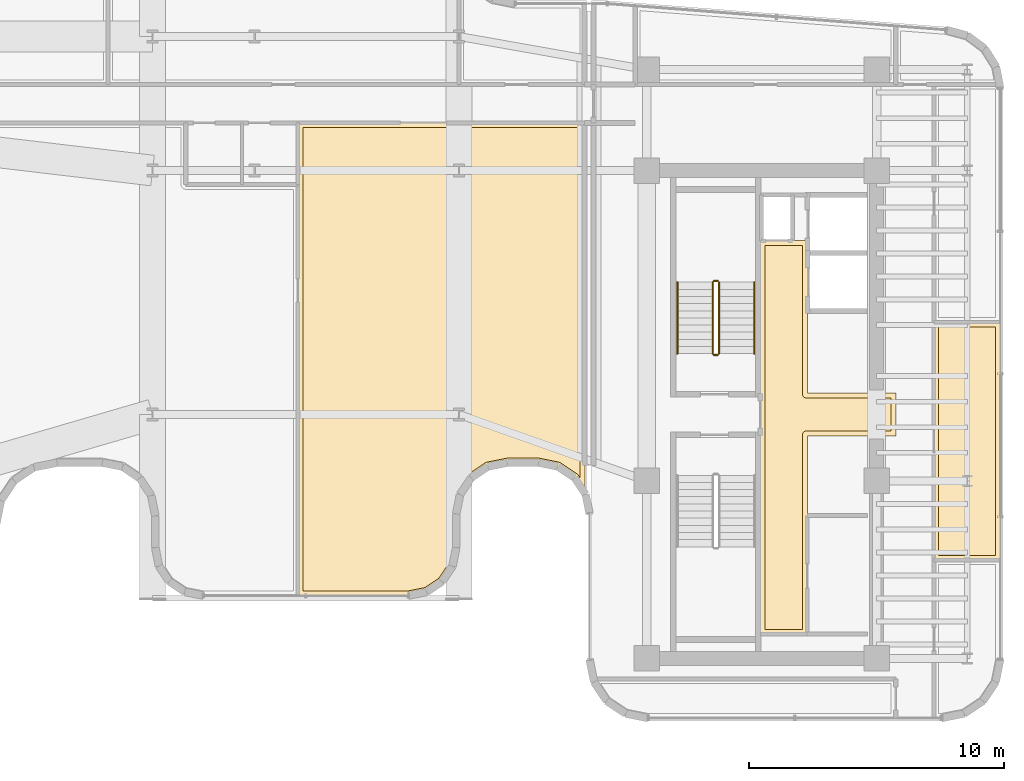
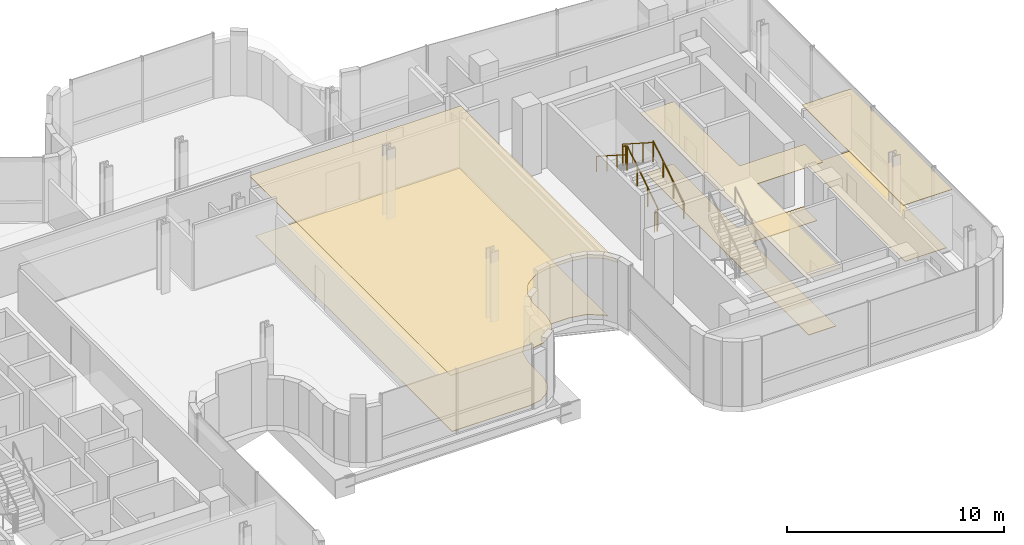
# One storey, part 35 of 37: 6 coverings, 6 railings.
"""IFC4 building model written with IfcOpenShell, lengths in metres."""

from ifc_helpers import new_model, si_unit, direction, frame, origin, origin_2d, place, context, subcontext, project, spatial, polyline, circle, outline, extrude, material, layer, layer_set, type_object, element, save


model = new_model("IFC4")

# Units and contexts
model_context = context("Model", 3, precision=1e-05, world=origin(), true_north=direction((0.0, 1.0)))
body_context = subcontext(model_context, "Body", "Model", "MODEL_VIEW")
ifc_project = project(units=[si_unit("LENGTHUNIT", "METRE"), si_unit("AREAUNIT", "SQUARE_METRE"), si_unit("VOLUMEUNIT", "CUBIC_METRE"), si_unit("PLANEANGLEUNIT", "RADIAN"), si_unit("MASSUNIT", "GRAM", prefix="KILO")], contexts=[model_context])

# Site, building, storey
site_placement = place(None, origin())
site = spatial("IfcSite", under=ifc_project, at=site_placement, CompositionType="ELEMENT")
building_placement = place(site_placement, origin())
building = spatial("IfcBuilding", under=site, at=building_placement, Name="Valdorenza Pilgrim Sanctuary Tower", CompositionType="ELEMENT")
storey_placement = place(building_placement, frame((0.0, 0.0, 188.39990234375)))
storey = spatial("IfcBuildingStorey", under=building, at=storey_placement, Name="L48", CompositionType="ELEMENT", Elevation=188.39990234375)

# Coverings
ifc_material_1 = material(Name="Micro-perforated acoustic mineral ceiling tile", Category="gypsum")
ifc_layer_1 = layer(ifc_material_1, 0.02490234375, Name="Micro-perforated acoustic mineral ceiling tile")
ifc_layer_set_1 = layer_set([ifc_layer_1], Name="Micro-perforated acoustic mineral ceiling tile")
covering_type_1 = type_object("IfcCoveringType", Name="COV-CLG-ACU", PredefinedType="CEILING", material=ifc_layer_set_1)
covering_1_placement = place(storey_placement, frame((0.0, 0.0, 3.330078125)))
element("IfcCovering", 1, at=covering_1_placement, inside=storey, type_object=covering_type_1, Name="L48 Core B Passenger Lift Lobby Acoustic Ceiling", PredefinedType="CEILING", context=body_context, shape_type="SweptSolid", body=[
    extrude(outline(polyline([(20.287109375, -0.814697265625), (20.287109375, 0.814697265625), (20.28662109375, 0.815185546875), (20.2861328125, 0.81640625), (20.28564453125, 0.81787109375), (20.285400390625, 0.819091796875), (20.28515625, 0.820556640625), (20.284912109375, 0.822021484375), (20.284912109375, 6.800048828125), (20.28515625, 6.801513671875), (20.285400390625, 6.802978515625), (20.28564453125, 6.804443359375), (20.2861328125, 6.8056640625), (20.286865234375, 6.80712890625), (20.28759765625, 6.808349609375), (20.288330078125, 6.8095703125), (20.289306640625, 6.810546875), (20.29052734375, 6.8115234375), (20.291748046875, 6.8125), (20.29296875, 6.813232421875), (20.294189453125, 6.81396484375), (20.295654296875, 6.814453125), (20.297119140625, 6.814697265625), (20.298583984375, 6.81494140625), (20.300048828125, 6.81494140625), (20.347900390625, 6.81494140625), (20.349365234375, 6.81494140625), (20.350830078125, 6.814697265625), (20.352294921875, 6.814453125), (20.353515625, 6.81396484375), (20.35498046875, 6.813232421875), (20.35546875, 6.81298828125), (21.544677734375, 6.81298828125), (21.545166015625, 6.813232421875), (21.54638671875, 6.81396484375), (21.5478515625, 6.814453125), (21.54931640625, 6.814697265625), (21.550537109375, 6.81494140625), (21.552001953125, 6.81494140625), (22.1201171875, 6.81494140625), (22.12158203125, 6.81494140625), (22.122802734375, 6.814697265625), (22.12451171875, 6.814453125), (22.125732421875, 6.81396484375), (22.127197265625, 6.813232421875), (22.12841796875, 6.8125), (22.12939453125, 6.8115234375), (22.130615234375, 6.810546875), (22.131591796875, 6.8095703125), (22.132568359375, 6.808349609375), (22.13330078125, 6.80712890625), (22.1337890625, 6.8056640625), (22.134521484375, 6.804443359375), (22.134765625, 6.802978515625), (22.135009765625, 6.801513671875), (22.135009765625, 6.800048828125), (22.135009765625, 0.8349609375), (25.60009765625, 0.8349609375), (25.6015625, 0.8349609375), (25.602783203125, 0.834716796875), (25.6044921875, 0.83447265625), (25.605712890625, 0.833984375), (25.607177734375, 0.833251953125), (25.6083984375, 0.83251953125), (25.609619140625, 0.83154296875), (25.610595703125, 0.83056640625), (25.611572265625, 0.82958984375), (25.612548828125, 0.828369140625), (25.61328125, 0.8271484375), (25.614013671875, 0.82568359375), (25.614501953125, 0.824462890625), (25.61474609375, 0.822998046875), (25.614990234375, 0.821533203125), (25.614990234375, 0.820068359375), (25.614990234375, -0.820068359375), (25.614990234375, -0.821533203125), (25.61474609375, -0.822998046875), (25.614501953125, -0.824462890625), (25.614013671875, -0.82568359375), (25.61328125, -0.8271484375), (25.612548828125, -0.828369140625), (25.611572265625, -0.82958984375), (25.610595703125, -0.83056640625), (25.609619140625, -0.83154296875), (25.6083984375, -0.83251953125), (25.607177734375, -0.833251953125), (25.605712890625, -0.833984375), (25.6044921875, -0.83447265625), (25.602783203125, -0.834716796875), (25.6015625, -0.8349609375), (25.60009765625, -0.8349609375), (22.135009765625, -0.8349609375), (22.135009765625, -8.60009765625), (22.135009765625, -8.6015625), (22.134765625, -8.602783203125), (22.134521484375, -8.6044921875), (22.1337890625, -8.605712890625), (22.13330078125, -8.607177734375), (22.132568359375, -8.6083984375), (22.131591796875, -8.609619140625), (22.130615234375, -8.610595703125), (22.12939453125, -8.611572265625), (22.12841796875, -8.612548828125), (22.127197265625, -8.61328125), (22.125732421875, -8.614013671875), (22.12451171875, -8.614501953125), (22.122802734375, -8.61474609375), (22.12158203125, -8.614990234375), (22.1201171875, -8.614990234375), (20.300048828125, -8.614990234375), (20.298583984375, -8.614990234375), (20.297119140625, -8.61474609375), (20.295654296875, -8.614501953125), (20.294189453125, -8.614013671875), (20.29296875, -8.61328125), (20.291748046875, -8.612548828125), (20.29052734375, -8.611572265625), (20.289306640625, -8.610595703125), (20.288330078125, -8.609619140625), (20.28759765625, -8.6083984375), (20.286865234375, -8.607177734375), (20.2861328125, -8.605712890625), (20.28564453125, -8.6044921875), (20.285400390625, -8.602783203125), (20.28515625, -8.6015625), (20.284912109375, -8.60009765625), (20.284912109375, -0.822021484375), (20.28515625, -0.820556640625), (20.285400390625, -0.819091796875), (20.28564453125, -0.81787109375), (20.2861328125, -0.81640625), (20.28662109375, -0.815185546875), (20.287109375, -0.814697265625)])), origin(), (0.0, 0.0, 1.0), 0.02490234375),
])
covering_2_placement = place(storey_placement, frame((0.0, 0.0, 3.330078125)))
element("IfcCovering", 2, at=covering_2_placement, inside=storey, type_object=covering_type_1, Name="L48 Sacred Archive Reading Library Acoustic Ceiling", PredefinedType="CEILING", context=body_context, shape_type="SweptSolid", body=[
    extrude(outline(polyline([(2.18701171875, 8.996337890625), (2.18701171875, 8.996826171875), (2.186767578125, 8.99853515625), (2.186767578125, 9.0), (2.18701171875, 9.00146484375), (2.18701171875, 9.001708984375), (2.18701171875, 11.419921875), (2.18701171875, 11.42138671875), (2.187255859375, 11.4228515625), (2.1875, 11.42431640625), (2.18798828125, 11.42578125), (2.188720703125, 11.427001953125), (2.189453125, 11.42822265625), (2.1904296875, 11.429443359375), (2.19140625, 11.4306640625), (2.1923828125, 11.431640625), (2.193603515625, 11.4326171875), (2.19482421875, 11.43310546875), (2.1962890625, 11.433837890625), (2.197509765625, 11.434326171875), (2.19921875, 11.434814453125), (2.200439453125, 11.434814453125), (2.201904296875, 11.43505859375), (13.419921875, 11.43505859375), (13.42138671875, 11.434814453125), (13.4228515625, 11.434814453125), (13.42431640625, 11.434326171875), (13.42578125, 11.433837890625), (13.427001953125, 11.43310546875), (13.42822265625, 11.4326171875), (13.429443359375, 11.431640625), (13.4306640625, 11.4306640625), (13.431640625, 11.429443359375), (13.4326171875, 11.42822265625), (13.43310546875, 11.427001953125), (13.433837890625, 11.42578125), (13.434326171875, 11.42431640625), (13.434814453125, 11.4228515625), (13.434814453125, 11.42138671875), (13.43505859375, 11.419921875), (13.43505859375, -3.071533203125), (13.434814453125, -3.072998046875), (13.434814453125, -3.074462890625), (13.434326171875, -3.075927734375), (13.433837890625, -3.077392578125), (13.43310546875, -3.07861328125), (13.4326171875, -3.079833984375), (13.431640625, -3.0810546875), (13.4306640625, -3.082275390625), (13.429443359375, -3.083251953125), (13.42822265625, -3.083984375), (13.427001953125, -3.084716796875), (13.42578125, -3.08544921875), (13.42431640625, -3.0859375), (13.4228515625, -3.086181640625), (13.42138671875, -3.08642578125), (13.419921875, -3.086669921875), (13.41845703125, -3.08642578125), (13.4169921875, -3.086181640625), (13.41552734375, -3.0859375), (13.414306640625, -3.08544921875), (13.412841796875, -3.084716796875), (13.41162109375, -3.083984375), (13.410400390625, -3.083251953125), (13.409423828125, -3.082275390625), (13.408447265625, -3.0810546875), (13.407470703125, -3.079833984375), (13.022705078125, -2.50390625), (13.016845703125, -2.49609375), (13.0107421875, -2.4892578125), (13.00390625, -2.483154296875), (12.99609375, -2.477294921875), (12.380126953125, -2.06591796875), (12.371826171875, -2.060791015625), (12.36328125, -2.056884765625), (12.354736328125, -2.0537109375), (12.34521484375, -2.051513671875), (11.618896484375, -1.906982421875), (11.609375, -1.905517578125), (11.599609375, -1.905029296875), (10.400390625, -1.905029296875), (10.390625, -1.905517578125), (10.381103515625, -1.906982421875), (9.65478515625, -2.051513671875), (9.645263671875, -2.0537109375), (9.63671875, -2.056884765625), (9.628173828125, -2.060791015625), (9.619873046875, -2.06591796875), (9.00390625, -2.477294921875), (8.99609375, -2.483154296875), (8.9892578125, -2.4892578125), (8.983154296875, -2.49609375), (8.977294921875, -2.50390625), (8.56591796875, -3.119873046875), (8.560791015625, -3.128173828125), (8.556884765625, -3.13671875), (8.5537109375, -3.145263671875), (8.551513671875, -3.15478515625), (8.406982421875, -3.881103515625), (8.405517578125, -3.890625), (8.405029296875, -3.900390625), (8.405029296875, -5.213134765625), (8.40478515625, -5.214599609375), (8.40478515625, -5.216064453125), (8.2607421875, -5.940185546875), (8.26025390625, -5.941650390625), (8.259765625, -5.943115234375), (8.25927734375, -5.9443359375), (8.258544921875, -5.945556640625), (7.8544921875, -6.55029296875), (7.853515625, -6.551513671875), (7.8525390625, -6.552490234375), (7.851318359375, -6.553466796875), (7.85009765625, -6.554443359375), (7.24560546875, -6.95849609375), (7.244384765625, -6.959228515625), (7.242919921875, -6.959716796875), (7.24169921875, -6.960205078125), (7.240234375, -6.960693359375), (6.51611328125, -7.104736328125), (6.5146484375, -7.10498046875), (6.51318359375, -7.10498046875), (2.201904296875, -7.10498046875), (2.200439453125, -7.10498046875), (2.19921875, -7.104736328125), (2.197509765625, -7.1044921875), (2.1962890625, -7.10400390625), (2.19482421875, -7.103271484375), (2.193603515625, -7.1025390625), (2.1923828125, -7.1015625), (2.19140625, -7.1005859375), (2.1904296875, -7.099609375), (2.189453125, -7.098388671875), (2.188720703125, -7.09716796875), (2.18798828125, -7.095703125), (2.1875, -7.094482421875), (2.187255859375, -7.093017578125), (2.18701171875, -7.091552734375), (2.18701171875, -7.090087890625), (2.18701171875, 8.996337890625)])), origin(), (0.0, 0.0, 1.0), 0.02490234375),
])
covering_3_placement = place(storey_placement, frame((0.0, 0.0, 3.330078125)))
element("IfcCovering", 3, at=covering_3_placement, inside=storey, type_object=covering_type_1, Name="L48 Private Banquet Dining Room L48-EB2 Acoustic Ceiling", PredefinedType="CEILING", context=body_context, shape_type="SweptSolid", body=[
    extrude(outline(polyline([(27.0849609375, 3.61328125), (27.085205078125, 3.61474609375), (27.085205078125, 3.6162109375), (27.085693359375, 3.61767578125), (27.086181640625, 3.618896484375), (27.0869140625, 3.620361328125), (27.08740234375, 3.62158203125), (27.08837890625, 3.622802734375), (27.08935546875, 3.623779296875), (27.090576171875, 3.625), (27.091796875, 3.625732421875), (27.093017578125, 3.62646484375), (27.09423828125, 3.627197265625), (27.095703125, 3.627685546875), (27.09716796875, 3.6279296875), (27.098388671875, 3.628173828125), (27.10009765625, 3.62841796875), (29.68994140625, 3.62841796875), (29.69140625, 3.628173828125), (29.69287109375, 3.6279296875), (29.6943359375, 3.627685546875), (29.69580078125, 3.627197265625), (29.697021484375, 3.62646484375), (29.6982421875, 3.625732421875), (29.699462890625, 3.625), (29.70068359375, 3.623779296875), (29.70166015625, 3.622802734375), (29.702392578125, 3.62158203125), (29.703125, 3.620361328125), (29.703857421875, 3.618896484375), (29.704345703125, 3.61767578125), (29.70458984375, 3.6162109375), (29.704833984375, 3.61474609375), (29.705078125, 3.61328125), (29.705078125, -5.69140625), (29.704833984375, -5.69287109375), (29.70458984375, -5.694091796875), (29.704345703125, -5.69580078125), (29.703857421875, -5.697021484375), (29.703125, -5.698486328125), (29.702392578125, -5.69970703125), (29.70166015625, -5.70068359375), (29.70068359375, -5.701904296875), (29.699462890625, -5.702880859375), (29.6982421875, -5.703857421875), (29.697021484375, -5.70458984375), (29.69580078125, -5.705078125), (29.6943359375, -5.705810546875), (29.69287109375, -5.7060546875), (29.69140625, -5.706298828125), (29.68994140625, -5.706298828125), (27.10009765625, -5.706298828125), (27.098388671875, -5.706298828125), (27.09716796875, -5.7060546875), (27.095703125, -5.705810546875), (27.09423828125, -5.705078125), (27.093017578125, -5.70458984375), (27.091796875, -5.703857421875), (27.090576171875, -5.702880859375), (27.08935546875, -5.701904296875), (27.08837890625, -5.70068359375), (27.08740234375, -5.69970703125), (27.0869140625, -5.698486328125), (27.086181640625, -5.697021484375), (27.085693359375, -5.69580078125), (27.085205078125, -5.694091796875), (27.085205078125, -5.69287109375), (27.0849609375, -5.69140625), (27.0849609375, 3.61328125)])), origin(), (0.0, 0.0, 1.0), 0.02490234375),
])
ifc_material_2 = material(Name="Engineered European oak timber flooring", Category="wood")
ifc_layer_2 = layer(ifc_material_2, 0.02197265625, Name="Engineered European oak timber flooring")
ifc_layer_set_2 = layer_set([ifc_layer_2], Name="Engineered European oak timber flooring")
covering_type_2 = type_object("IfcCoveringType", Name="COV-FLR-OAK", PredefinedType="FLOORING", material=ifc_layer_set_2)
covering_4_placement = place(storey_placement, origin())
element("IfcCovering", 4, at=covering_4_placement, inside=storey, type_object=covering_type_2, Name="L48 Private Banquet Dining Room L48-EB2 Flooring", PredefinedType="FLOORING", context=body_context, shape_type="SweptSolid", body=[
    extrude(outline(polyline([(27.280029296875, 3.433349609375), (29.510009765625, 3.433349609375), (29.510009765625, -5.51123046875), (27.280029296875, -5.51123046875), (27.280029296875, 3.433349609375)])), origin(), (0.0, 0.0, 1.0), 0.025146484375),
])
ifc_material_3 = material(Name="Honed travertine stone flooring", Category="masonry")
ifc_layer_3 = layer(ifc_material_3, 0.030029296875, Name="Honed travertine stone flooring")
ifc_layer_set_3 = layer_set([ifc_layer_3], Name="Honed travertine stone flooring")
covering_type_3 = type_object("IfcCoveringType", Name="COV-FLR-TRV", PredefinedType="FLOORING", material=ifc_layer_set_3)
covering_5_placement = place(storey_placement, origin())
element("IfcCovering", 5, at=covering_5_placement, inside=storey, type_object=covering_type_3, Name="L48 Core B Passenger Lift Lobby Flooring", PredefinedType="FLOORING", context=body_context, shape_type="SweptSolid", body=[
    extrude(outline(polyline([(20.47998046875, 6.617919921875), (21.550048828125, 6.617919921875), (21.550537109375, 6.617919921875), (21.93994140625, 6.619384765625), (21.93994140625, 0.820068359375), (21.94091796875, 0.802490234375), (21.943603515625, 0.784912109375), (21.94775390625, 0.767578125), (21.95361328125, 0.751220703125), (21.961181640625, 0.735107421875), (21.97021484375, 0.719970703125), (21.98095703125, 0.705810546875), (21.99267578125, 0.692626953125), (22.005859375, 0.680908203125), (22.02001953125, 0.67041015625), (22.03515625, 0.661376953125), (22.051025390625, 0.65380859375), (22.067626953125, 0.647705078125), (22.0849609375, 0.6435546875), (22.102294921875, 0.640869140625), (22.1201171875, 0.639892578125), (25.419921875, 0.639892578125), (25.419921875, -0.639892578125), (22.1201171875, -0.639892578125), (22.102294921875, -0.640869140625), (22.0849609375, -0.6435546875), (22.067626953125, -0.647705078125), (22.051025390625, -0.65380859375), (22.03515625, -0.661376953125), (22.02001953125, -0.67041015625), (22.005859375, -0.680908203125), (21.99267578125, -0.692626953125), (21.98095703125, -0.705810546875), (21.97021484375, -0.719970703125), (21.961181640625, -0.735107421875), (21.95361328125, -0.751220703125), (21.94775390625, -0.767578125), (21.943603515625, -0.784912109375), (21.94091796875, -0.802490234375), (21.93994140625, -0.820068359375), (21.93994140625, -8.419921875), (20.47998046875, -8.419921875), (20.47998046875, -0.846923828125), (20.47998046875, -0.8466796875), (20.47998046875, -0.8466796875), (20.481689453125, -0.8291015625), (20.481689453125, -0.828857421875), (20.48193359375, -0.820068359375), (20.48193359375, 0.820068359375), (20.47998046875, 6.617919921875)])), origin(), (0.0, 0.0, 1.0), 0.025146484375),
])
covering_6_placement = place(storey_placement, origin())
element("IfcCovering", 6, at=covering_6_placement, inside=storey, type_object=covering_type_3, Name="L48 Sacred Archive Reading Library Flooring", PredefinedType="FLOORING", context=body_context, shape_type="SweptSolid", body=[
    extrude(outline(polyline([(2.382080078125, 8.999755859375), (2.382080078125, 9.0), (2.382080078125, 11.239990234375), (13.239990234375, 11.239990234375), (13.239990234375, -2.478271484375), (13.1845703125, -2.3955078125), (13.179443359375, -2.38818359375), (13.173095703125, -2.37939453125), (13.161865234375, -2.36572265625), (13.15478515625, -2.35791015625), (13.14208984375, -2.34521484375), (13.13427734375, -2.338134765625), (13.12060546875, -2.326904296875), (13.11181640625, -2.320556640625), (13.1044921875, -2.3154296875), (12.48828125, -1.903564453125), (12.480712890625, -1.898681640625), (12.471435546875, -1.893310546875), (12.455810546875, -1.885009765625), (12.4462890625, -1.88037109375), (12.4296875, -1.87353515625), (12.419677734375, -1.869873046875), (12.40283203125, -1.86474609375), (12.392333984375, -1.862060546875), (12.3837890625, -1.860107421875), (11.656494140625, -1.715576171875), (11.64794921875, -1.714111328125), (11.63720703125, -1.71240234375), (11.61962890625, -1.710693359375), (11.60888671875, -1.710205078125), (11.60009765625, -1.7099609375), (10.39990234375, -1.7099609375), (10.39111328125, -1.710205078125), (10.38037109375, -1.710693359375), (10.36279296875, -1.71240234375), (10.35205078125, -1.714111328125), (10.343505859375, -1.715576171875), (9.6162109375, -1.860107421875), (9.607666015625, -1.862060546875), (9.59716796875, -1.86474609375), (9.580322265625, -1.869873046875), (9.5703125, -1.87353515625), (9.5537109375, -1.88037109375), (9.544189453125, -1.885009765625), (9.528564453125, -1.893310546875), (9.519287109375, -1.898681640625), (9.51171875, -1.903564453125), (8.8955078125, -2.3154296875), (8.88818359375, -2.320556640625), (8.87939453125, -2.326904296875), (8.86572265625, -2.338134765625), (8.85791015625, -2.34521484375), (8.84521484375, -2.35791015625), (8.838134765625, -2.36572265625), (8.826904296875, -2.37939453125), (8.820556640625, -2.38818359375), (8.8154296875, -2.3955078125), (8.403564453125, -3.01171875), (8.398681640625, -3.019287109375), (8.393310546875, -3.028564453125), (8.385009765625, -3.044189453125), (8.38037109375, -3.0537109375), (8.37353515625, -3.0703125), (8.369873046875, -3.080322265625), (8.36474609375, -3.09716796875), (8.362060546875, -3.107666015625), (8.360107421875, -3.1162109375), (8.215576171875, -3.843505859375), (8.214111328125, -3.85205078125), (8.21240234375, -3.86279296875), (8.210693359375, -3.88037109375), (8.210205078125, -3.89111328125), (8.2099609375, -3.89990234375), (8.2099609375, -5.1953125), (8.076416015625, -5.866943359375), (7.712158203125, -6.412109375), (7.1669921875, -6.7763671875), (6.495361328125, -6.909912109375), (2.382080078125, -6.909912109375), (2.382080078125, 8.998046875), (2.382080078125, 8.9990234375), (2.382080078125, 8.999755859375)])), origin(), (0.0, 0.0, 1.0), 0.025146484375),
])

# Railings
ifc_material_4 = material(Name="Stainless steel Grade 316", Category="steel")
railing_type_1 = type_object("IfcRailingType", Name="RLG-GRD-1120", PredefinedType="GUARDRAIL", material=ifc_material_4)
railing_1_placement = place(storey_placement, frame((18.679931640625, 2.3798828125, 0.1796875)))
element("IfcRailing", 7, at=railing_1_placement, inside=storey, type_object=railing_type_1, Name="L48 ST-B1 stair guard 1", PredefinedType="GUARDRAIL", context=body_context, shape_type="SweptSolid", body=[
    extrude(circle(Radius=0.02392578125, at=origin_2d()), frame((0.0, 0.0, 1.076171875), z_axis=(0.0, 0.841809871826, 0.539774156196), x_axis=(-1.0, 0.0, 0.0)), (0.0, 0.0, 1.0), 3.326171875),
    extrude(circle(Radius=0.02099609375, at=origin_2d()), origin(), (0.0, 0.0, 1.0), 1.052001953125),
    extrude(circle(Radius=0.02099609375, at=origin_2d()), frame((0.0, 0.933349609375, 0.598388671875)), (0.0, 0.0, 1.0), 1.052001953125),
    extrude(circle(Radius=0.02099609375, at=origin_2d()), frame((0.0, 1.86669921875, 1.197021484375)), (0.0, 0.0, 1.0), 1.052001953125),
    extrude(circle(Radius=0.02099609375, at=origin_2d()), frame((0.0, 2.800048828125, 1.79541015625)), (0.0, 0.0, 1.0), 1.052001953125),
])
railing_2_placement = place(storey_placement, frame((18.6298828125, 5.22998046875, 1.97509765625)))
element("IfcRailing", 8, at=railing_2_placement, inside=storey, type_object=railing_type_1, Name="L48 ST-B1 stair guard 2", PredefinedType="GUARDRAIL", context=body_context, shape_type="SweptSolid", body=[
    extrude(circle(Radius=0.02392578125, at=origin_2d()), frame((0.0, 0.0, 1.076171875), z_axis=(-1.0, 0.0, 0.0), x_axis=(0.0, -1.0, 0.0)), (0.0, 0.0, 1.0), 0.14990234375),
    extrude(circle(Radius=0.02099609375, at=origin_2d()), origin(), (0.0, 0.0, 1.0), 1.052001953125),
    extrude(circle(Radius=0.02099609375, at=origin_2d()), frame((-0.14990234375, 0.0, 0.0)), (0.0, 0.0, 1.0), 1.052001953125),
])
railing_3_placement = place(storey_placement, frame((18.429931640625, 5.179931640625, 2.154541015625)))
element("IfcRailing", 9, at=railing_3_placement, inside=storey, type_object=railing_type_1, Name="L48 ST-B1 stair guard 3", PredefinedType="GUARDRAIL", context=body_context, shape_type="SweptSolid", body=[
    extrude(circle(Radius=0.02392578125, at=origin_2d()), frame((0.0, 0.0, 1.076171875), z_axis=(0.0, -0.841776520102, 0.539826166654), x_axis=(1.0, 0.0, 0.0)), (0.0, 0.0, 1.0), 3.326416015625),
    extrude(circle(Radius=0.02099609375, at=origin_2d()), origin(), (0.0, 0.0, 1.0), 1.052001953125),
    extrude(circle(Radius=0.02099609375, at=origin_2d()), frame((0.0, -0.933349609375, 0.5986328125)), (0.0, 0.0, 1.0), 1.052001953125),
    extrude(circle(Radius=0.02099609375, at=origin_2d()), frame((0.0, -1.86669921875, 1.197021484375)), (0.0, 0.0, 1.0), 1.052001953125),
    extrude(circle(Radius=0.02099609375, at=origin_2d()), frame((0.0, -2.800048828125, 1.795654296875)), (0.0, 0.0, 1.0), 1.052001953125),
])
railing_4_placement = place(storey_placement, frame((18.6298828125, 2.330078125, 0.0)))
element("IfcRailing", 10, at=railing_4_placement, inside=storey, type_object=railing_type_1, Name="L48 ST-B1 stair guard 4", PredefinedType="GUARDRAIL", context=body_context, shape_type="SweptSolid", body=[
    extrude(circle(Radius=0.02392578125, at=origin_2d()), frame((0.0, 0.0, 1.076171875), z_axis=(-1.0, 0.0, 0.0), x_axis=(0.0, -1.0, 0.0)), (0.0, 0.0, 1.0), 0.14990234375),
    extrude(circle(Radius=0.02099609375, at=origin_2d()), origin(), (0.0, 0.0, 1.0), 1.052001953125),
    extrude(circle(Radius=0.02099609375, at=origin_2d()), frame((-0.14990234375, 0.0, 0.0)), (0.0, 0.0, 1.0), 1.052001953125),
])
ifc_material_5 = material(Name="Brushed stainless steel Grade 316", Category="steel")
railing_type_2 = type_object("IfcRailingType", Name="RLG-HND-920", PredefinedType="HANDRAIL", material=ifc_material_5)
railing_5_placement = place(storey_placement, frame((20.06005859375, 2.3798828125, 0.1796875)))
element("IfcRailing", 11, at=railing_5_placement, inside=storey, type_object=railing_type_2, Name="L48 ST-B1 stair handrail 1", PredefinedType="HANDRAIL", context=body_context, shape_type="SweptSolid", body=[
    extrude(circle(Radius=0.02392578125, at=origin_2d()), frame((0.0, 0.0, 0.8759765625), z_axis=(0.0, 0.841809871826, 0.539774156196), x_axis=(-1.0, 0.0, 0.0)), (0.0, 0.0, 1.0), 3.326171875),
    extrude(circle(Radius=0.02099609375, at=origin_2d()), origin(), (0.0, 0.0, 1.0), 0.851806640625),
    extrude(circle(Radius=0.02099609375, at=origin_2d()), frame((0.0, 0.933349609375, 0.598388671875)), (0.0, 0.0, 1.0), 0.851806640625),
    extrude(circle(Radius=0.02099609375, at=origin_2d()), frame((0.0, 1.86669921875, 1.197021484375)), (0.0, 0.0, 1.0), 0.851806640625),
    extrude(circle(Radius=0.02099609375, at=origin_2d()), frame((0.0, 2.800048828125, 1.79541015625)), (0.0, 0.0, 1.0), 0.851806640625),
])
railing_6_placement = place(storey_placement, frame((17.050048828125, 5.179931640625, 2.154541015625)))
element("IfcRailing", 12, at=railing_6_placement, inside=storey, type_object=railing_type_2, Name="L48 ST-B1 stair handrail 2", PredefinedType="HANDRAIL", context=body_context, shape_type="SweptSolid", body=[
    extrude(circle(Radius=0.02392578125, at=origin_2d()), frame((0.0, 0.0, 0.8759765625), z_axis=(0.0, -0.841776520102, 0.539826166654), x_axis=(1.0, 0.0, 0.0)), (0.0, 0.0, 1.0), 3.326416015625),
    extrude(circle(Radius=0.02099609375, at=origin_2d()), origin(), (0.0, 0.0, 1.0), 0.851806640625),
    extrude(circle(Radius=0.02099609375, at=origin_2d()), frame((0.0, -0.933349609375, 0.5986328125)), (0.0, 0.0, 1.0), 0.851806640625),
    extrude(circle(Radius=0.02099609375, at=origin_2d()), frame((0.0, -1.86669921875, 1.197021484375)), (0.0, 0.0, 1.0), 0.851806640625),
    extrude(circle(Radius=0.02099609375, at=origin_2d()), frame((0.0, -2.800048828125, 1.795654296875)), (0.0, 0.0, 1.0), 0.851806640625),
])

save(model, "model.ifc")
